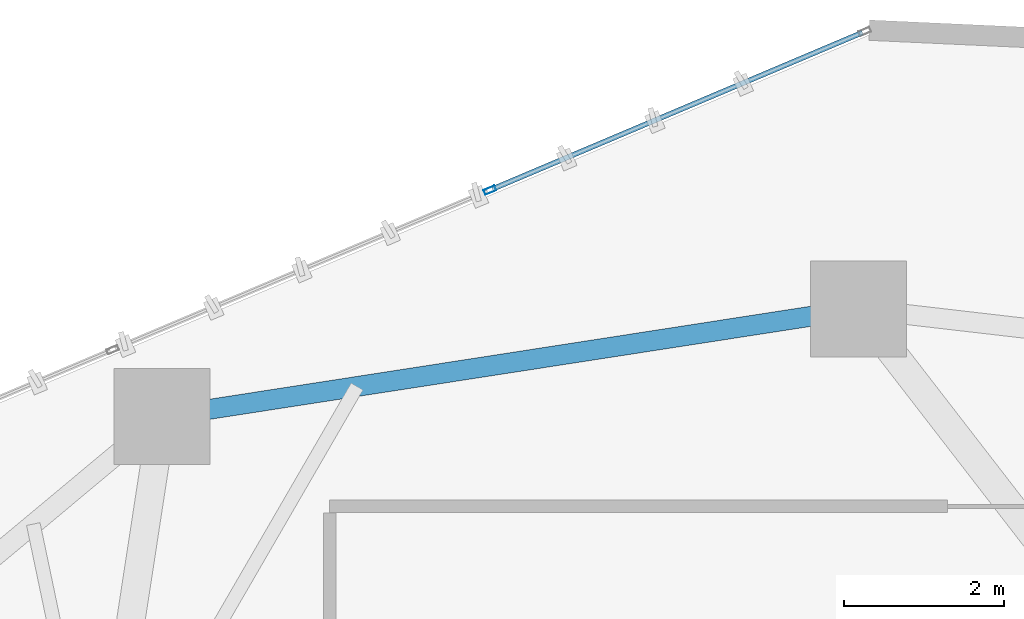
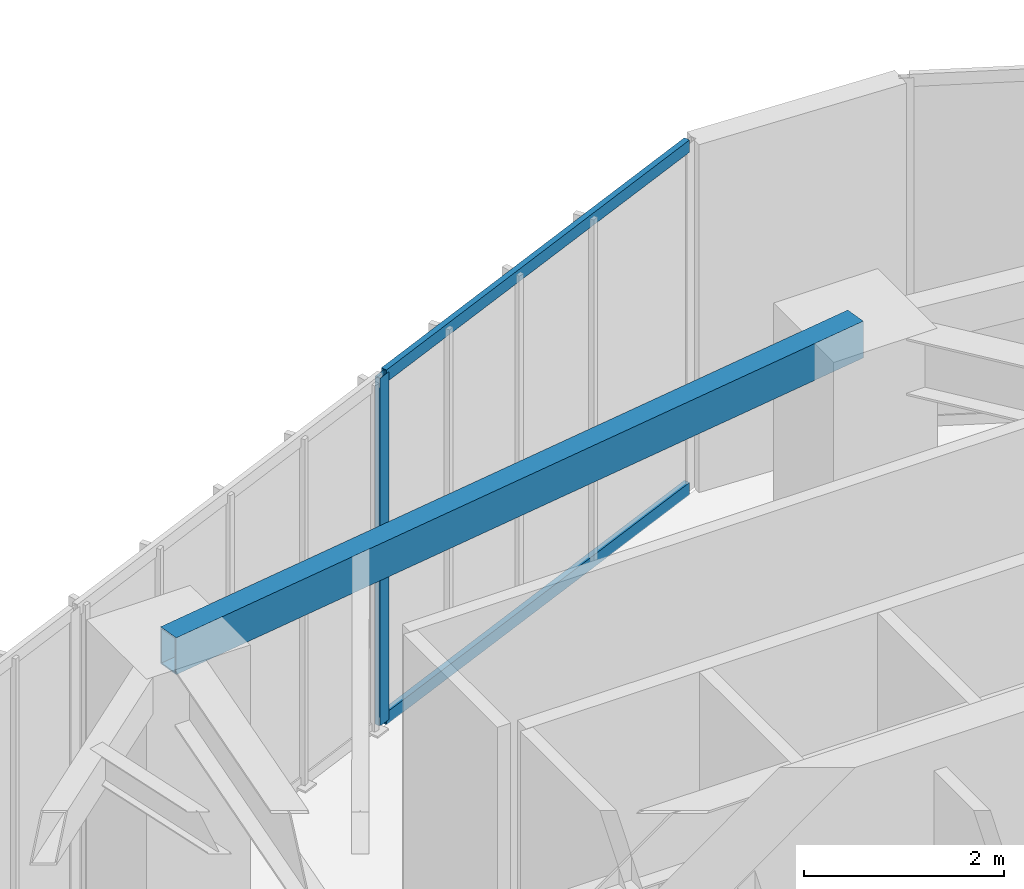
# One storey, part 18 of 28: 3 members, 1 beam, 1 element without a shape of its own.
"""IFC4 building model written with IfcOpenShell, lengths in metres."""

from ifc_helpers import new_model, si_unit, direction, frame, origin, origin_2d, place, context, subcontext, project, spatial, hollow_rectangle, extrude, source, transform, mapped, material, layer, layer_set, material_profile, profile_set, type_object, type_shapes, element, aggregate, save


model = new_model("IFC4")

# Units and contexts
model_context = context("Model", 3, precision=1e-05, world=origin(), true_north=direction((0.0, 1.0)))
body_context = subcontext(model_context, "Body", "Model", "MODEL_VIEW")
ifc_project = project(units=[si_unit("LENGTHUNIT", "METRE"), si_unit("AREAUNIT", "SQUARE_METRE"), si_unit("VOLUMEUNIT", "CUBIC_METRE"), si_unit("PLANEANGLEUNIT", "RADIAN"), si_unit("MASSUNIT", "GRAM", prefix="KILO")], contexts=[model_context])

# Site, building, storey
site_placement = place(None, origin())
site = spatial("IfcSite", under=ifc_project, at=site_placement, CompositionType="ELEMENT")
building_placement = place(site_placement, origin())
building = spatial("IfcBuilding", under=site, at=building_placement, Name="Talar Marvaseh", CompositionType="ELEMENT")
storey_placement = place(building_placement, frame((0.0, 0.0, 157.800048828125)))
storey = spatial("IfcBuildingStorey", under=building, at=storey_placement, Name="L41", CompositionType="ELEMENT", Elevation=157.800048828125)

# Beam
ifc_material_1 = material(Name="Steel S355", Category="steel")
ifc_material_profile_1 = material_profile(ifc_material_1, hollow_rectangle(XDim=0.25, YDim=0.449951171875, WallThickness=0.01611328125, at=origin_2d()), Name="RHS450x250x16")
ifc_profile_set_1 = profile_set([ifc_material_profile_1], Name="Steel S355")
beam_type = type_object("IfcBeamType", Name="Zone 2 Perimeter Spandrel Beam RHS450x250x16", PredefinedType="SPANDREL", material=ifc_profile_set_1)
beam_placement = place(storey_placement, frame((19.5009765625, 42.123046875, 4.02490234375), z_axis=(0.988248879948, 0.152853365295, 0.0), x_axis=(-0.152853365295, 0.988248879948, 0.0)))
element("IfcBeam", 1, at=beam_placement, inside=storey, type_object=beam_type, Name="L41 Zone 2 Perimeter Spandrel Beam RHS450x250x16", PredefinedType="SPANDREL", context=body_context, shape_type="SweptSolid", body=[
    extrude(hollow_rectangle(XDim=0.25, YDim=0.449951171875, WallThickness=0.01611328125, at=origin_2d()), origin(), (0.0, 0.0, 1.0), 8.82470703125),
])

# Curtain wall, members
ifc_material_2 = material(Name="Architectural Aluminium", Category="aluminium")
ifc_layer = layer(ifc_material_2, 0.239990234375)
ifc_layer_set = layer_set([ifc_layer], Name="Architectural Aluminium")
curtain_wall_type = type_object("IfcCurtainWallType", Name="Observation Sky Gallery Structural Glass Wall", PredefinedType="NOTDEFINED", material=ifc_layer_set)
curtain_wall_placement = place(storey_placement, origin())
curtain_wall = element("IfcCurtainWall", 2, at=curtain_wall_placement, inside=storey, type_object=curtain_wall_type, Name="L41 Observation Sky Gallery Structural Glass Wall", PredefinedType="NOTDEFINED")
ifc_material_profile_2 = material_profile(ifc_material_2, hollow_rectangle(XDim=0.06494140625, YDim=0.14990234375, WallThickness=0.00390625, at=origin_2d()), Name="RHS150x65x4")
ifc_profile_set_2 = profile_set([ifc_material_profile_2], Name="Architectural Aluminium")
member_type_1 = type_object("IfcMemberType", Name="Unitised Curtain Wall Slim Mullion RHS150x65x4", PredefinedType="MULLION", material=ifc_profile_set_2)
shared_shape_1 = source(origin(), body_context, "Body", "SweptSolid", [
    extrude(hollow_rectangle(XDim=0.06494140625, YDim=0.14990234375, WallThickness=0.00390625, at=origin_2d()), origin(), (0.0, 0.0, 1.0), 4.25),
])
type_shapes(member_type_1, [shared_shape_1])
member_1_placement = place(storey_placement, frame((23.606689453125, 44.959716796875, 0.0), z_axis=(0.0, 0.0, 1.0), x_axis=(-0.389639566894, 0.920967430429, 0.0)))
member_1 = element("IfcMember", 3, at=member_1_placement, type_object=member_type_1, Name="CW-OBS mullion 3", PredefinedType="MULLION", context=body_context, shape_type="MappedRepresentation", body=[
    mapped(shared_shape_1, transform((0.0, 0.0, 0.0), x_axis=(1.0, 0.0, 0.0), y_axis=(0.0, 1.0, 0.0), z_axis=(0.0, 0.0, 1.0), scale=1.0)),
])
ifc_material_profile_3 = material_profile(ifc_material_2, hollow_rectangle(XDim=0.06494140625, YDim=0.14990234375, WallThickness=0.00390625, at=origin_2d()), Name="RHS150x65x4")
ifc_profile_set_3 = profile_set([ifc_material_profile_3], Name="Architectural Aluminium")
member_type_2 = type_object("IfcMemberType", Name="Unitised Curtain Wall Slim Transom RHS150x65x4", PredefinedType="USERDEFINED", material=ifc_profile_set_3)
shared_shape_2 = source(origin(), body_context, "Body", "SweptSolid", [
    extrude(hollow_rectangle(XDim=0.06494140625, YDim=0.14990234375, WallThickness=0.00390625, at=origin_2d()), origin(), (0.0, 0.0, 1.0), 5.032470703125),
])
type_shapes(member_type_2, [shared_shape_2])
member_2_placement = place(storey_placement, frame((23.63671875, 44.972412109375, 0.032470703125), z_axis=(0.920979302902, 0.389611503456, 0.0), x_axis=(-0.389611503456, 0.920979302902, 0.0)))
member_2 = element("IfcMember", 4, at=member_2_placement, type_object=member_type_2, Name="CW-OBS transom 3.1", ObjectType="TRANSOM", PredefinedType="USERDEFINED", context=body_context, shape_type="MappedRepresentation", body=[
    mapped(shared_shape_2, transform((0.0, 0.0, 0.0), x_axis=(1.0, 0.0, 0.0), y_axis=(0.0, 1.0, 0.0), z_axis=(0.0, 0.0, 1.0), scale=1.0)),
])
member_3_placement = place(storey_placement, frame((23.63671875, 44.972412109375, 4.217529296875), z_axis=(0.920979302902, 0.389611503456, 0.0), x_axis=(-0.389611503456, 0.920979302902, 0.0)))
member_3 = element("IfcMember", 5, at=member_3_placement, type_object=member_type_2, Name="CW-OBS transom 3.2", ObjectType="TRANSOM", PredefinedType="USERDEFINED", context=body_context, shape_type="MappedRepresentation", body=[
    mapped(shared_shape_2, transform((0.0, 0.0, 0.0), x_axis=(1.0, 0.0, 0.0), y_axis=(0.0, 1.0, 0.0), z_axis=(0.0, 0.0, 1.0), scale=1.0)),
])
aggregate(curtain_wall, [member_1, member_2, member_3])

save(model, "model.ifc")
